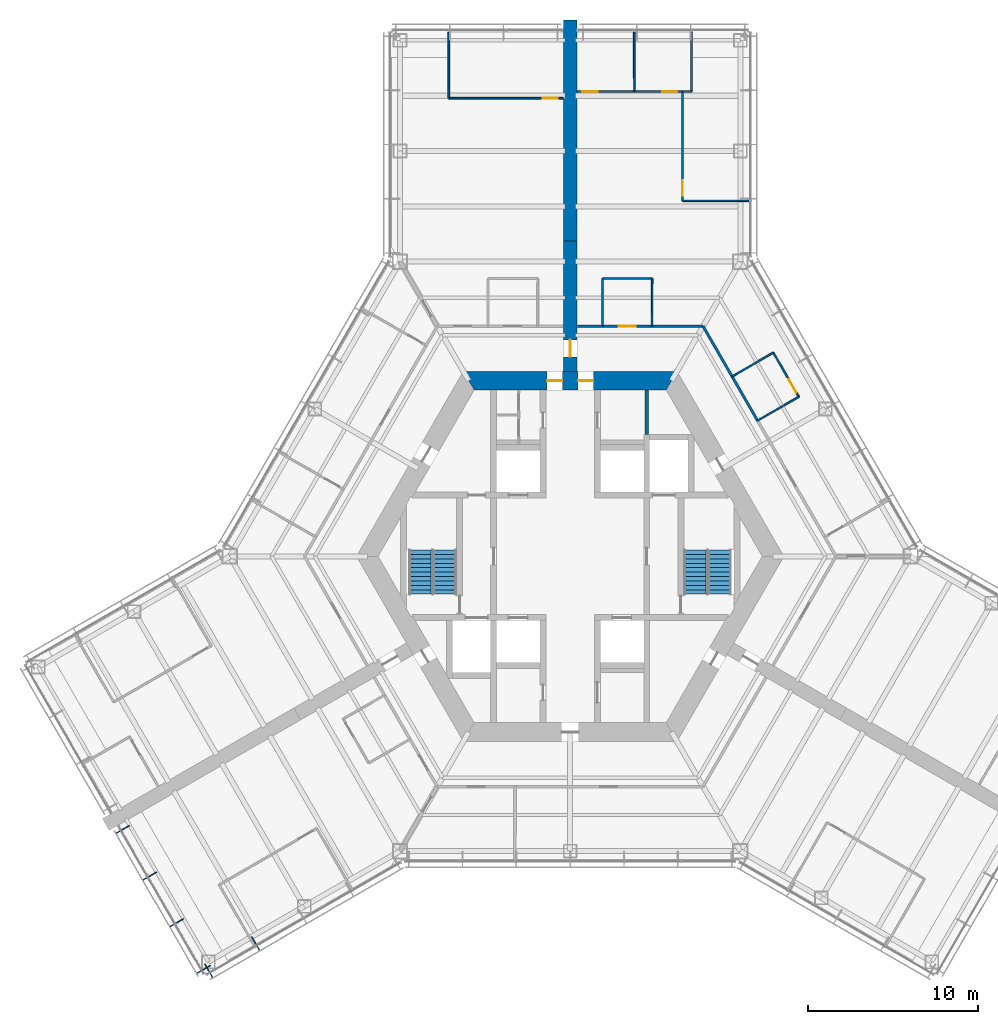
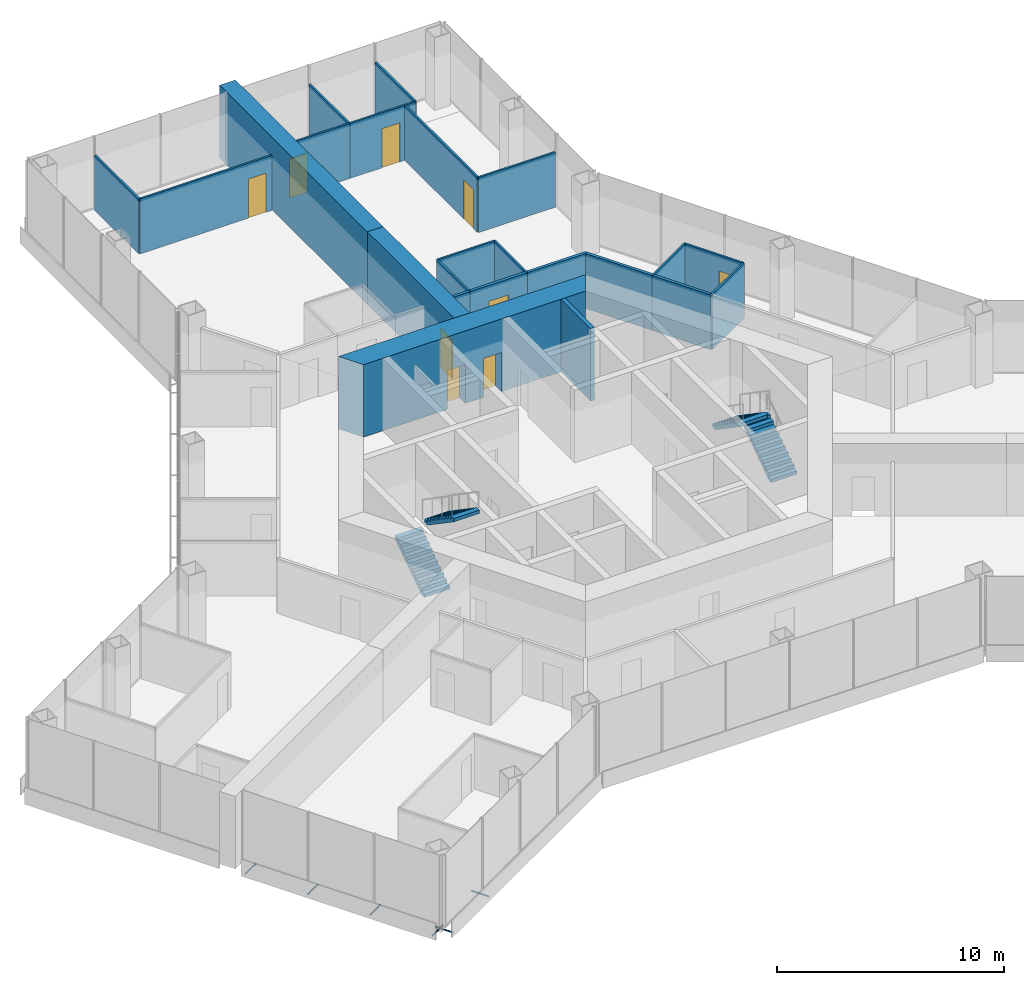
# One storey, part 15 of 18: 24 walls, 9 doors, 6 discrete accessories, 4 stair flights, 9 openings, 2 elements without a shape of their own.
"""IFC4 building model written with IfcOpenShell, lengths in metres."""

from ifc_helpers import new_model, si_unit, direction, frame, frame_2d, origin, origin_2d, place, context, subcontext, project, spatial, polyline, rectangle, hollow_circle, outline, extrude, material, layer, layer_set, material_profile, profile_set, type_object, element, fill, aggregate, save


model = new_model("IFC4")

# Units and contexts
model_context = context("Model", 3, precision=1e-05, world=origin(), true_north=direction((0.0, 1.0)))
body_context = subcontext(model_context, "Body", "Model", "MODEL_VIEW")
ifc_project = project(units=[si_unit("LENGTHUNIT", "METRE"), si_unit("AREAUNIT", "SQUARE_METRE"), si_unit("VOLUMEUNIT", "CUBIC_METRE"), si_unit("PLANEANGLEUNIT", "RADIAN"), si_unit("MASSUNIT", "GRAM", prefix="KILO")], contexts=[model_context])

# Site, building, storey
site_placement = place(None, origin())
site = spatial("IfcSite", under=ifc_project, at=site_placement, CompositionType="ELEMENT")
building_placement = place(site_placement, origin())
building = spatial("IfcBuilding", under=site, at=building_placement, Name="Kasaneha Research Tower", CompositionType="ELEMENT")
storey_placement = place(building_placement, frame((0.0, 0.0, 72.89990234375)))
storey = spatial("IfcBuildingStorey", under=building, at=storey_placement, Name="L18", CompositionType="ELEMENT", Elevation=72.89990234375)

# Wall, openings, doors
ifc_material_1 = material(Name="Concrete Fc80", Category="concrete")
ifc_layer_1 = layer(ifc_material_1, 1.10009765625)
ifc_layer_set_1 = layer_set([ifc_layer_1], Name="Core wall 1100 Fc80")
wall_type_1 = type_object("IfcWallType", Name="Core wall 1100 Fc80", PredefinedType="SHEAR", material=ifc_layer_set_1)
wall_1_placement = place(storey_placement, frame((5.961181640625, 10.324951171875, 0.0), z_axis=(0.0, 0.0, 1.0), x_axis=(-1.0, 0.0, 0.0)))
wall_1 = element("IfcWall", 1, at=wall_1_placement, inside=storey, type_object=wall_type_1, Name="Core wall 090 L18", PredefinedType="SHEAR", context=body_context, shape_type="SweptSolid", body=[
    extrude(outline(polyline([(-0.317626953125, -0.550048828125), (4.5986328125, -0.550048828125), (5.49853515625, -0.550048828125), (6.423583984375, -0.550048828125), (7.323486328125, -0.550048828125), (12.239990234375, -0.550048828125), (11.604736328125, 0.550048828125), (7.323486328125, 0.550048828125), (6.423583984375, 0.550048828125), (5.49853515625, 0.550048828125), (4.5986328125, 0.550048828125), (0.317626953125, 0.550048828125), (-0.317626953125, -0.550048828125)])), origin(), (0.0, 0.0, 1.0), 3.900146484375),
])
opening_1_placement = place(wall_1_placement, frame((6.423583984375, 0.0, 0.0)))
opening_1 = element("IfcOpeningElement", 2, at=opening_1_placement, cuts=wall_1, Name="Opening L18-D01", PredefinedType="OPENING", context=body_context, shape_type="SweptSolid", body=[
    extrude(rectangle(XDim=0.89990234375, YDim=2.10009765625, at=frame_2d((0.449951171875, 1.050048828125))), frame((0.0, 0.56005859375, 0.0), z_axis=(0.0, -1.0, 0.0), x_axis=(1.0, 0.0, 0.0)), (0.0, 0.0, 1.0), 1.1201171875),
])
opening_2_placement = place(wall_1_placement, frame((4.5986328125, 0.0, 0.0)))
opening_2 = element("IfcOpeningElement", 3, at=opening_2_placement, cuts=wall_1, Name="Opening L18-D02", PredefinedType="OPENING", context=body_context, shape_type="SweptSolid", body=[
    extrude(rectangle(XDim=0.89990234375, YDim=2.10009765625, at=frame_2d((0.449951171875, 1.050048828125))), frame((0.0, 0.56005859375, 0.0), z_axis=(0.0, -1.0, 0.0), x_axis=(1.0, 0.0, 0.0)), (0.0, 0.0, 1.0), 1.1201171875),
])
ifc_material_2 = material(Name="Steel", Category="steel")
door_type_1 = type_object("IfcDoorType", Name="Toilet door FD20 900x2100", OperationType="NOTDEFINED", PredefinedType="DOOR", material=ifc_material_2)
door_1_placement = place(opening_1_placement, origin())
door_1 = element("IfcDoor", 4, at=door_1_placement, inside=storey, type_object=door_type_1, Name="Core door north 1 L18-D01", OperationType="SINGLE_SWING_RIGHT", OverallHeight=2.10009765625, OverallWidth=0.89990234375, PredefinedType="DOOR", context=body_context, shape_type="SweptSolid", body=[
    extrude(rectangle(XDim=0.89990234375, YDim=2.10009765625, at=frame_2d((0.449951171875, 1.050048828125))), frame((0.0, 0.02490234375, 0.0), z_axis=(0.0, -1.0, 0.0), x_axis=(1.0, 0.0, 0.0)), (0.0, 0.0, 1.0), 0.050048828125),
])
fill(opening_1, door_1)
door_2_placement = place(opening_2_placement, origin())
door_2 = element("IfcDoor", 5, at=door_2_placement, inside=storey, type_object=door_type_1, Name="Core door north 2 L18-D02", OperationType="SINGLE_SWING_LEFT", OverallHeight=2.10009765625, OverallWidth=0.89990234375, PredefinedType="DOOR", context=body_context, shape_type="SweptSolid", body=[
    extrude(rectangle(XDim=0.89990234375, YDim=2.10009765625, at=frame_2d((0.449951171875, 1.050048828125))), frame((0.0, 0.02490234375, 0.0), z_axis=(0.0, -1.0, 0.0), x_axis=(1.0, 0.0, 0.0)), (0.0, 0.0, 1.0), 0.050048828125),
])
fill(opening_2, door_2)

# Walls
ifc_material_3 = material(Name="Gypsum board on steel studs, one layer each side", Category="steel")
ifc_layer_2 = layer(ifc_material_3, 0.10009765625)
ifc_layer_set_2 = layer_set([ifc_layer_2], Name="Office partition 100")
wall_type_2 = type_object("IfcWallType", Name="Office partition 100", PredefinedType="PARTITIONING", material=ifc_layer_set_2)
wall_2_placement = place(storey_placement, frame((1.89990234375, 16.324951171875, 0.0), z_axis=(0.0, 0.0, 1.0), x_axis=(1.0, 0.0, 0.0)))
element("IfcWall", 6, at=wall_2_placement, inside=storey, type_object=wall_type_2, Name="Office partition FAE08 L18", PredefinedType="PARTITIONING", context=body_context, shape_type="SweptSolid", body=[
    extrude(rectangle(XDim=2.9169921875, YDim=0.10009765625, at=frame_2d((1.45849609375, 0.0))), origin(), (0.0, 0.0, 1.0), 2.9501953125),
])
for number, where, z_axis, x_axis, name in (
    (7, (1.904541015625, 13.52490234375, 0.0), (0.0, 0.0, 1.0), (-0.001656637364, 0.999998627775, 0.0), "Office partition FAE09 L18"),
    (8, (4.81689453125, 16.324951171875, 0.0), (0.0, 0.0, 1.0), (-0.001569446145, -0.999998768419, 0.0), "Office partition FAE10 L18"),
    (9, (9.51513671875, 10.569091796875, 0.0), (0.0, 0.0, 1.0), (0.865255114713, 0.501331812737, 0.0), "Office partition FAE11 L18"),
):
    element("IfcWall", number, at=place(storey_placement, frame(where, z_axis=z_axis, x_axis=x_axis)), inside=storey, type_object=wall_type_2, Name=name, PredefinedType="PARTITIONING", context=body_context, shape_type="SweptSolid", body=[
        extrude(rectangle(XDim=2.800048828125, YDim=0.10009765625, at=frame_2d((1.39990234375, 0.0))), origin(), (0.0, 0.0, 1.0), 2.9501953125),
    ])

# Wall, opening, door
wall_3_placement = place(storey_placement, frame((11.93798828125, 11.972900390625, 0.0), z_axis=(0.0, 0.0, 1.0), x_axis=(0.50002537861, -0.866010750942, 0.0)))
wall_3 = element("IfcWall", 10, at=wall_3_placement, inside=storey, type_object=wall_type_2, Name="Office partition FAE12 L18", PredefinedType="PARTITIONING", context=body_context, shape_type="SweptSolid", body=[
    extrude(rectangle(XDim=2.999755859375, YDim=0.10009765625, at=frame_2d((1.5, 0.0))), origin(), (0.0, 0.0, 1.0), 2.9501953125),
])
opening_3_placement = place(wall_3_placement, frame((1.800048828125, 0.0, 0.0)))
opening_3 = element("IfcOpeningElement", 11, at=opening_3_placement, cuts=wall_3, Name="Opening L18-D27", PredefinedType="OPENING", context=body_context, shape_type="SweptSolid", body=[
    extrude(rectangle(XDim=0.89990234375, YDim=2.10009765625, at=frame_2d((0.449951171875, 1.050048828125))), frame((0.0, 0.06005859375, 0.0), z_axis=(0.0, -1.0, 0.0), x_axis=(1.0, 0.0, 0.0)), (0.0, 0.0, 1.0), 0.1201171875),
])
ifc_material_4 = material(Name="Timber veneer", Category="wood")
door_type_2 = type_object("IfcDoorType", Name="Office door 900x2100", OperationType="SINGLE_SWING_LEFT", PredefinedType="DOOR", material=ifc_material_4)
door_3_placement = place(opening_3_placement, origin())
door_3 = element("IfcDoor", 12, at=door_3_placement, inside=storey, type_object=door_type_2, Name="Pantry door L18-D27", OperationType="SINGLE_SWING_RIGHT", OverallHeight=2.10009765625, OverallWidth=0.89990234375, PredefinedType="DOOR", context=body_context, shape_type="SweptSolid", body=[
    extrude(rectangle(XDim=0.89990234375, YDim=2.10009765625, at=frame_2d((0.449951171875, 1.050048828125))), frame((0.0, 0.02490234375, 0.0), z_axis=(0.0, -1.0, 0.0), x_axis=(1.0, 0.0, 0.0)), (0.0, 0.0, 1.0), 0.050048828125),
])
fill(opening_3, door_3)

# Walls
wall_4_placement = place(storey_placement, frame((13.43798828125, 9.375, 0.0), z_axis=(0.0, 0.0, 1.0), x_axis=(-0.866817750494, -0.498625097071, 0.0)))
element("IfcWall", 13, at=wall_4_placement, inside=storey, type_object=wall_type_2, Name="Office partition FAE13 L18", PredefinedType="PARTITIONING", context=body_context, shape_type="SweptSolid", body=[
    extrude(rectangle(XDim=2.80029296875, YDim=0.10009765625, at=frame_2d((1.400146484375, 0.0))), origin(), (0.0, 0.0, 1.0), 2.9501953125),
])
wall_5_placement = place(storey_placement, frame((3.771728515625, 27.320556640625, 0.0), z_axis=(0.0, 0.0, 1.0), x_axis=(-0.001473269062, 0.999998914739, 0.0)))
element("IfcWall", 14, at=wall_5_placement, inside=storey, type_object=wall_type_2, Name="Office partition FAE14 L18", PredefinedType="PARTITIONING", context=body_context, shape_type="SweptSolid", body=[
    extrude(rectangle(XDim=3.47998046875, YDim=0.10009765625, at=frame_2d((1.739990234375, 0.0))), origin(), (0.0, 0.0, 1.0), 2.9501953125),
])
wall_6_placement = place(storey_placement, frame((7.13330078125, 27.320556640625, 0.0), z_axis=(0.0, 0.0, 1.0), x_axis=(-1.0, 0.0, 0.0)))
element("IfcWall", 15, at=wall_6_placement, inside=storey, type_object=wall_type_2, Name="Office partition FAE15 L18", PredefinedType="PARTITIONING", context=body_context, shape_type="SweptSolid", body=[
    extrude(rectangle(XDim=0.538330078125, YDim=0.10009765625, at=frame_2d((0.26904296875, 0.0))), origin(), (0.0, 0.0, 1.0), 2.9501953125),
])
wall_7_placement = place(storey_placement, frame((7.13330078125, 30.800537109375, 0.0), z_axis=(0.0, 0.0, 1.0), x_axis=(0.0, -1.0, 0.0)))
element("IfcWall", 16, at=wall_7_placement, inside=storey, type_object=wall_type_2, Name="Office partition FAE16 L18", PredefinedType="PARTITIONING", context=body_context, shape_type="SweptSolid", body=[
    extrude(rectangle(XDim=3.47998046875, YDim=0.10009765625, at=frame_2d((1.739990234375, 0.0))), origin(), (0.0, 0.0, 1.0), 2.9501953125),
])

# Wall, opening, door
wall_8_placement = place(storey_placement, frame((6.6044921875, 27.320556640625, 0.0), z_axis=(0.0, 0.0, 1.0), x_axis=(-0.999998801045, 0.001548518446, 0.0)))
wall_8 = element("IfcWall", 17, at=wall_8_placement, inside=storey, type_object=wall_type_2, Name="Office partition FAE17 L18", PredefinedType="PARTITIONING", context=body_context, shape_type="SweptSolid", body=[
    extrude(rectangle(XDim=2.837890625, YDim=0.10009765625, at=frame_2d((1.4189453125, 0.0))), origin(), (0.0, 0.0, 1.0), 2.9501953125),
])
opening_4_placement = place(wall_8_placement, frame((0.300048828125, 0.0, 0.0)))
opening_4 = element("IfcOpeningElement", 18, at=opening_4_placement, cuts=wall_8, Name="Opening L18-D28", PredefinedType="OPENING", context=body_context, shape_type="SweptSolid", body=[
    extrude(rectangle(XDim=0.89990234375, YDim=2.10009765625, at=frame_2d((0.449951171875, 1.050048828125))), frame((0.0, 0.06005859375, 0.0), z_axis=(0.0, -1.0, 0.0), x_axis=(1.0, 0.0, 0.0)), (0.0, 0.0, 1.0), 0.1201171875),
])
door_4_placement = place(opening_4_placement, origin())
door_4 = element("IfcDoor", 19, at=door_4_placement, inside=storey, type_object=door_type_2, Name="Manager's office door L18-D28", OperationType="SINGLE_SWING_LEFT", OverallHeight=2.10009765625, OverallWidth=0.89990234375, PredefinedType="DOOR", context=body_context, shape_type="SweptSolid", body=[
    extrude(rectangle(XDim=0.89990234375, YDim=2.10009765625, at=frame_2d((0.449951171875, 1.050048828125))), frame((0.0, 0.02490234375, 0.0), z_axis=(0.0, -1.0, 0.0), x_axis=(1.0, 0.0, 0.0)), (0.0, 0.0, 1.0), 0.050048828125),
])
fill(opening_4, door_4)

wall_9_placement = place(storey_placement, frame((3.7666015625, 27.324951171875, 0.0), z_axis=(0.0, 0.0, 1.0), x_axis=(-0.999999137883, -0.001313100706, 0.0)))
wall_9 = element("IfcWall", 20, at=wall_9_placement, inside=storey, type_object=wall_type_2, Name="Office partition FAE18 L18", PredefinedType="PARTITIONING", context=body_context, shape_type="SweptSolid", body=[
    extrude(rectangle(XDim=3.3466796875, YDim=0.10009765625, at=frame_2d((1.67333984375, 0.0))), origin(), (0.0, 0.0, 1.0), 2.9501953125),
])
opening_5_placement = place(wall_9_placement, frame((2.146728515625, 0.0, 0.0)))
opening_5 = element("IfcOpeningElement", 21, at=opening_5_placement, cuts=wall_9, Name="Opening L18-D29", PredefinedType="OPENING", context=body_context, shape_type="SweptSolid", body=[
    extrude(rectangle(XDim=0.89990234375, YDim=2.10009765625, at=frame_2d((0.449951171875, 1.050048828125))), frame((0.0, 0.06005859375, 0.0), z_axis=(0.0, -1.0, 0.0), x_axis=(1.0, 0.0, 0.0)), (0.0, 0.0, 1.0), 0.1201171875),
])
door_5_placement = place(opening_5_placement, origin())
door_5 = element("IfcDoor", 22, at=door_5_placement, inside=storey, type_object=door_type_2, Name="Manager's office door L18-D29", OperationType="SINGLE_SWING_RIGHT", OverallHeight=2.10009765625, OverallWidth=0.89990234375, PredefinedType="DOOR", context=body_context, shape_type="SweptSolid", body=[
    extrude(rectangle(XDim=0.89990234375, YDim=2.10009765625, at=frame_2d((0.449951171875, 1.050048828125))), frame((0.0, 0.02490234375, 0.0), z_axis=(0.0, -1.0, 0.0), x_axis=(1.0, 0.0, 0.0)), (0.0, 0.0, 1.0), 0.050048828125),
])
fill(opening_5, door_5)

wall_10_placement = place(storey_placement, frame((6.60009765625, 20.89111328125, 0.0), z_axis=(0.0, 0.0, 1.0), x_axis=(0.000683500885, 0.999999766413, 0.0)))
wall_10 = element("IfcWall", 23, at=wall_10_placement, inside=storey, type_object=wall_type_2, Name="Office partition FAE19 L18", PredefinedType="PARTITIONING", context=body_context, shape_type="SweptSolid", body=[
    extrude(rectangle(XDim=6.429443359375, YDim=0.10009765625, at=frame_2d((3.21484375, 0.0))), origin(), (0.0, 0.0, 1.0), 2.9501953125),
])
opening_6_placement = place(wall_10_placement, frame((0.300048828125, 0.0, 0.0)))
opening_6 = element("IfcOpeningElement", 24, at=opening_6_placement, cuts=wall_10, Name="Opening L18-D30", PredefinedType="OPENING", context=body_context, shape_type="SweptSolid", body=[
    extrude(rectangle(XDim=0.89990234375, YDim=2.10009765625, at=frame_2d((0.449951171875, 1.050048828125))), frame((0.0, 0.06005859375, 0.0), z_axis=(0.0, -1.0, 0.0), x_axis=(1.0, 0.0, 0.0)), (0.0, 0.0, 1.0), 0.1201171875),
])
door_6_placement = place(opening_6_placement, origin())
door_6 = element("IfcDoor", 25, at=door_6_placement, inside=storey, type_object=door_type_2, Name="Meeting room door L18-D30", OperationType="SINGLE_SWING_LEFT", OverallHeight=2.10009765625, OverallWidth=0.89990234375, PredefinedType="DOOR", context=body_context, shape_type="SweptSolid", body=[
    extrude(rectangle(XDim=0.89990234375, YDim=2.10009765625, at=frame_2d((0.449951171875, 1.050048828125))), frame((0.0, 0.02490234375, 0.0), z_axis=(0.0, -1.0, 0.0), x_axis=(1.0, 0.0, 0.0)), (0.0, 0.0, 1.0), 0.050048828125),
])
fill(opening_6, door_6)

# Walls
wall_11_placement = place(storey_placement, frame((10.5, 20.89111328125, 0.0), z_axis=(0.0, 0.0, 1.0), x_axis=(-1.0, 0.0, 0.0)))
element("IfcWall", 26, at=wall_11_placement, inside=storey, type_object=wall_type_2, Name="Office partition FAE20 L18", PredefinedType="PARTITIONING", context=body_context, shape_type="SweptSolid", body=[
    extrude(rectangle(XDim=3.89990234375, YDim=0.10009765625, at=frame_2d((1.949951171875, 0.0))), origin(), (0.0, 0.0, 1.0), 2.9501953125),
])
wall_12_placement = place(storey_placement, frame((-7.13330078125, 26.92041015625, 0.0), z_axis=(0.0, 0.0, 1.0), x_axis=(0.0, 1.0, 0.0)))
element("IfcWall", 27, at=wall_12_placement, inside=storey, type_object=wall_type_2, Name="Office partition FAW07 L18", PredefinedType="PARTITIONING", context=body_context, shape_type="SweptSolid", body=[
    extrude(rectangle(XDim=3.880126953125, YDim=0.10009765625, at=frame_2d((1.93994140625, 0.0))), origin(), (0.0, 0.0, 1.0), 2.9501953125),
])

# Wall, opening, door
wall_13_placement = place(storey_placement, frame((-0.419921875, 26.92041015625, 0.0), z_axis=(0.0, 0.0, 1.0), x_axis=(-1.0, 0.0, 0.0)))
wall_13 = element("IfcWall", 28, at=wall_13_placement, inside=storey, type_object=wall_type_2, Name="Office partition FAW08 L18", PredefinedType="PARTITIONING", context=body_context, shape_type="SweptSolid", body=[
    extrude(rectangle(XDim=6.71337890625, YDim=0.10009765625, at=frame_2d((3.356689453125, 0.0))), origin(), (0.0, 0.0, 1.0), 2.9501953125),
])
opening_7_placement = place(wall_13_placement, frame((0.300048828125, 0.0, 0.0)))
opening_7 = element("IfcOpeningElement", 29, at=opening_7_placement, cuts=wall_13, Name="Opening L18-D34", PredefinedType="OPENING", context=body_context, shape_type="SweptSolid", body=[
    extrude(rectangle(XDim=0.89990234375, YDim=2.10009765625, at=frame_2d((0.449951171875, 1.050048828125))), frame((0.0, 0.06005859375, 0.0), z_axis=(0.0, -1.0, 0.0), x_axis=(1.0, 0.0, 0.0)), (0.0, 0.0, 1.0), 0.1201171875),
])
door_7_placement = place(opening_7_placement, origin())
door_7 = element("IfcDoor", 30, at=door_7_placement, inside=storey, type_object=door_type_2, Name="Meeting room door L18-D34", OperationType="SINGLE_SWING_LEFT", OverallHeight=2.10009765625, OverallWidth=0.89990234375, PredefinedType="DOOR", context=body_context, shape_type="SweptSolid", body=[
    extrude(rectangle(XDim=0.89990234375, YDim=2.10009765625, at=frame_2d((0.449951171875, 1.050048828125))), frame((0.0, 0.02490234375, 0.0), z_axis=(0.0, -1.0, 0.0), x_axis=(1.0, 0.0, 0.0)), (0.0, 0.0, 1.0), 0.050048828125),
])
fill(opening_7, door_7)

# Wall
ifc_material_5 = material(Name="Concrete block", Category="concrete")
ifc_layer_3 = layer(ifc_material_5, 0.199951171875)
ifc_layer_set_3 = layer_set([ifc_layer_3], Name="Riser enclosure wall 200")
wall_type_3 = type_object("IfcWallType", Name="Riser enclosure wall 200", PredefinedType="STANDARD", material=ifc_layer_set_3)
wall_14_placement = place(storey_placement, frame((4.5, 7.175048828125, 0.0), z_axis=(0.0, 0.0, 1.0), x_axis=(0.0, 1.0, 0.0)))
element("IfcWall", 31, at=wall_14_placement, inside=storey, type_object=wall_type_3, Name="Riser enclosure wall L18", PredefinedType="STANDARD", context=body_context, shape_type="SweptSolid", body=[
    extrude(rectangle(XDim=2.599853515625, YDim=0.199951171875, at=frame_2d((1.2998046875, 0.0))), origin(), (0.0, 0.0, 1.0), 3.900146484375),
])

# Wall, opening, door
ifc_material_6 = material(Name="Concrete Fc80", Category="concrete")
ifc_layer_4 = layer(ifc_material_6, 0.800048828125)
ifc_layer_set_4 = layer_set([ifc_layer_4], Name="Spine wall 800 Fc80")
wall_type_4 = type_object("IfcWallType", Name="Spine wall 800 Fc80", PredefinedType="SHEAR", material=ifc_layer_set_4)
wall_15_placement = place(storey_placement, frame((0.0, 10.875, 0.0), z_axis=(0.0, 0.0, 1.0), x_axis=(0.0, 1.0, 0.0)))
wall_15 = element("IfcWall", 32, at=wall_15_placement, inside=storey, type_object=wall_type_4, Name="Spine wall A L18", PredefinedType="SHEAR", context=body_context, shape_type="SweptSolid", body=[
    extrude(rectangle(XDim=7.6455078125, YDim=0.800048828125, at=frame_2d((3.82275390625, 0.0))), origin(), (0.0, 0.0, 1.0), 3.900146484375),
])
opening_8_placement = place(wall_15_placement, frame((0.85009765625, 0.0, 0.0)))
opening_8 = element("IfcOpeningElement", 33, at=opening_8_placement, cuts=wall_15, Name="Opening L18-D17", PredefinedType="OPENING", context=body_context, shape_type="SweptSolid", body=[
    extrude(rectangle(XDim=1.0, YDim=2.10009765625, at=frame_2d((0.5, 1.050048828125))), frame((0.0, 0.41015625, 0.0), z_axis=(0.0, -1.0, 0.0), x_axis=(1.0, 0.0, 0.0)), (0.0, 0.0, 1.0), 0.820068359375),
])
ifc_material_7 = material(Name="Steel", Category="steel")
door_type_3 = type_object("IfcDoorType", Name="Specified fire door FD60 1000x2100", OperationType="NOTDEFINED", PredefinedType="DOOR", material=ifc_material_7)
door_8_placement = place(opening_8_placement, origin())
door_8 = element("IfcDoor", 34, at=door_8_placement, inside=storey, type_object=door_type_3, Name="Spine doorway A L18-D17", OperationType="SINGLE_SWING_LEFT", OverallHeight=2.10009765625, OverallWidth=1.0, PredefinedType="DOOR", context=body_context, shape_type="SweptSolid", body=[
    extrude(rectangle(XDim=1.0, YDim=2.10009765625, at=frame_2d((0.5, 1.050048828125))), frame((0.0, 0.02490234375, 0.0), z_axis=(0.0, -1.0, 0.0), x_axis=(1.0, 0.0, 0.0)), (0.0, 0.0, 1.0), 0.050048828125),
])
fill(opening_8, door_8)

# Wall
wall_16_placement = place(storey_placement, frame((0.0, 18.5205078125, 0.0), z_axis=(0.0, 0.0, 1.0), x_axis=(0.0, 1.0, 0.0)))
element("IfcWall", 35, at=wall_16_placement, inside=storey, type_object=wall_type_4, Name="Spine wall A wing L18", PredefinedType="SHEAR", context=body_context, shape_type="SweptSolid", body=[
    extrude(rectangle(XDim=13.0, YDim=0.800048828125, at=frame_2d((6.5, 0.0))), origin(), (0.0, 0.0, 1.0), 3.900146484375),
])

# Wall, opening, door
ifc_material_8 = material(Name="Gypsum board on steel studs, two layers each side", Category="steel")
ifc_layer_5 = layer(ifc_material_8, 0.14990234375)
ifc_layer_set_5 = layer_set([ifc_layer_5], Name="Suite partition 150")
wall_type_5 = type_object("IfcWallType", Name="Suite partition 150", PredefinedType="PARTITIONING", material=ifc_layer_set_5)
wall_17_placement = place(storey_placement, frame((1.89501953125, 13.52490234375, 0.0), z_axis=(0.0, 0.0, 1.0), x_axis=(1.0, 0.0, 0.0)))
wall_17 = element("IfcWall", 36, at=wall_17_placement, inside=storey, type_object=wall_type_5, Name="Suite partition FAE01 L18", PredefinedType="PARTITIONING", context=body_context, shape_type="SweptSolid", body=[
    extrude(rectangle(XDim=2.927001953125, YDim=0.14990234375, at=frame_2d((1.46337890625, 0.0))), origin(), (0.0, 0.0, 1.0), 2.9501953125),
])
opening_9_placement = place(wall_17_placement, frame((0.96337890625, 0.0, 0.0)))
opening_9 = element("IfcOpeningElement", 37, at=opening_9_placement, cuts=wall_17, Name="Opening L18-D25", PredefinedType="OPENING", context=body_context, shape_type="SweptSolid", body=[
    extrude(rectangle(XDim=1.0, YDim=2.10009765625, at=frame_2d((0.5, 1.050048828125))), frame((0.0, 0.0849609375, 0.0), z_axis=(0.0, -1.0, 0.0), x_axis=(1.0, 0.0, 0.0)), (0.0, 0.0, 1.0), 0.169921875),
])
ifc_material_9 = material(Name="Steel", Category="steel")
door_type_4 = type_object("IfcDoorType", Name="Suite entrance door FD60 1000x2100", OperationType="NOTDEFINED", PredefinedType="DOOR", material=ifc_material_9)
door_9_placement = place(opening_9_placement, origin())
door_9 = element("IfcDoor", 38, at=door_9_placement, inside=storey, type_object=door_type_4, Name="Suite entrance door L18-D25", OperationType="SINGLE_SWING_LEFT", OverallHeight=2.10009765625, OverallWidth=1.0, PredefinedType="DOOR", context=body_context, shape_type="SweptSolid", body=[
    extrude(rectangle(XDim=1.0, YDim=2.10009765625, at=frame_2d((0.5, 1.050048828125))), frame((0.0, 0.02490234375, 0.0), z_axis=(0.0, -1.0, 0.0), x_axis=(1.0, 0.0, 0.0)), (0.0, 0.0, 1.0), 0.050048828125),
])
fill(opening_9, door_9)

# Walls
wall_18_placement = place(storey_placement, frame((9.510498046875, 10.577392578125, 0.0), z_axis=(0.0, 0.0, 1.0), x_axis=(0.499977562641, -0.866038357612, 0.0)))
element("IfcWall", 39, at=wall_18_placement, inside=storey, type_object=wall_type_5, Name="Suite partition FAE02 L18", PredefinedType="PARTITIONING", context=body_context, shape_type="SweptSolid", body=[
    extrude(rectangle(XDim=3.010009765625, YDim=0.14990234375, at=frame_2d((1.5048828125, 0.0))), origin(), (0.0, 0.0, 1.0), 2.9501953125),
])
wall_19_placement = place(storey_placement, frame((0.419921875, 13.52490234375, 0.0), z_axis=(0.0, 0.0, 1.0), x_axis=(1.0, 0.0, 0.0)))
element("IfcWall", 40, at=wall_19_placement, inside=storey, type_object=wall_type_5, Name="Suite partition FAE04 L18", PredefinedType="PARTITIONING", context=body_context, shape_type="SweptSolid", body=[
    extrude(rectangle(XDim=1.484619140625, YDim=0.14990234375, at=frame_2d((0.7421875, 0.0))), origin(), (0.0, 0.0, 1.0), 2.9501953125),
])
wall_20_placement = place(storey_placement, frame((4.8125, 13.52490234375, 0.0), z_axis=(0.0, 0.0, 1.0), x_axis=(1.0, 0.0, 0.0)))
element("IfcWall", 41, at=wall_20_placement, inside=storey, type_object=wall_type_5, Name="Suite partition FAE05 L18", PredefinedType="PARTITIONING", context=body_context, shape_type="SweptSolid", body=[
    extrude(rectangle(XDim=2.99609375, YDim=0.14990234375, at=frame_2d((1.498046875, 0.0))), origin(), (0.0, 0.0, 1.0), 2.9501953125),
])
wall_21_placement = place(storey_placement, frame((7.80859375, 13.52490234375, 0.0), z_axis=(0.0, 0.0, 1.0), x_axis=(0.500001088571, -0.866024775297, 0.0)))
element("IfcWall", 42, at=wall_21_placement, inside=storey, type_object=wall_type_5, Name="Suite partition FAE06 L18", PredefinedType="PARTITIONING", context=body_context, shape_type="SweptSolid", body=[
    extrude(rectangle(XDim=3.4130859375, YDim=0.14990234375, at=frame_2d((1.70654296875, 0.0))), origin(), (0.0, 0.0, 1.0), 2.9501953125),
])

# Stair, stair flights
ifc_material_10 = material(Name="Concrete Fc24", Category="concrete")
stair_type = type_object("IfcStairType", Name="Half-turn stair 22 risers", PredefinedType="HALF_TURN_STAIR", material=ifc_material_10)
stair_1_placement = place(storey_placement, origin())
stair_1 = element("IfcStair", 43, at=stair_1_placement, inside=storey, type_object=stair_type, Name="Stair 1 L18", PredefinedType="HALF_TURN_STAIR")
ifc_material_11 = material(Name="Concrete Fc24", Category="concrete")
stair_flight_type = type_object("IfcStairFlightType", Name="Stair flight 11 risers 177.3", PredefinedType="STRAIGHT", material=ifc_material_11)
stair_flight_1_placement = place(storey_placement, frame((8.824951171875, -2.22509765625, 0.0), z_axis=(0.0, 0.0, 1.0), x_axis=(0.0, 1.0, 0.0)))
stair_flight_1 = element("IfcStairFlight", 44, at=stair_flight_1_placement, type_object=stair_flight_type, Name="ST1-22R flight 1", NumberOfRisers=11, NumberOfTreads=10, PredefinedType="STRAIGHT", RiserHeight=0.177272727, TreadLength=0.26, context=body_context, shape_type="SweptSolid", body=[
    extrude(outline(polyline([(0.0, 0.0), (0.0, 0.17724609375), (0.260009765625, 0.17724609375), (0.260009765625, 0.3544921875), (0.52001953125, 0.3544921875), (0.52001953125, 0.53173828125), (0.780029296875, 0.53173828125), (0.780029296875, 0.708984375), (1.0400390625, 0.708984375), (1.0400390625, 0.886474609375), (1.300048828125, 0.886474609375), (1.300048828125, 1.063720703125), (1.56005859375, 1.063720703125), (1.56005859375, 1.240966796875), (1.820068359375, 1.240966796875), (1.820068359375, 1.418212890625), (2.080078125, 1.418212890625), (2.080078125, 1.595458984375), (2.340087890625, 1.595458984375), (2.340087890625, 1.772705078125), (2.60009765625, 1.772705078125), (2.60009765625, 1.949951171875), (2.60009765625, 1.59130859375), (0.26611328125, 0.0), (0.0, 0.0)])), frame((0.0, 0.64990234375, 0.0), z_axis=(0.0, -1.0, 0.0), x_axis=(1.0, 0.0, 0.0)), (0.0, 0.0, 1.0), 1.300048828125),
])
stair_flight_2_placement = place(storey_placement, frame((7.324951171875, 0.375, 1.9501953125), z_axis=(0.0, 0.0, 1.0), x_axis=(0.0, -1.0, 0.0)))
stair_flight_2 = element("IfcStairFlight", 45, at=stair_flight_2_placement, type_object=stair_flight_type, Name="ST1-22R flight 2", NumberOfRisers=11, NumberOfTreads=10, PredefinedType="STRAIGHT", RiserHeight=0.177272727, TreadLength=0.26, context=body_context, shape_type="SweptSolid", body=[
    extrude(outline(polyline([(0.0, 0.0), (0.0, 0.17724609375), (0.260009765625, 0.17724609375), (0.260009765625, 0.3544921875), (0.52001953125, 0.3544921875), (0.52001953125, 0.53173828125), (0.780029296875, 0.53173828125), (0.780029296875, 0.708984375), (1.0400390625, 0.708984375), (1.0400390625, 0.886474609375), (1.300048828125, 0.886474609375), (1.300048828125, 1.063720703125), (1.56005859375, 1.063720703125), (1.56005859375, 1.240966796875), (1.820068359375, 1.240966796875), (1.820068359375, 1.418212890625), (2.080078125, 1.418212890625), (2.080078125, 1.595458984375), (2.340087890625, 1.595458984375), (2.340087890625, 1.772705078125), (2.60009765625, 1.772705078125), (2.60009765625, 1.949951171875), (2.60009765625, 1.59130859375), (0.26611328125, 0.0), (0.0, 0.0)])), frame((0.0, 0.64990234375, 0.0), z_axis=(0.0, -1.0, 0.0), x_axis=(1.0, 0.0, 0.0)), (0.0, 0.0, 1.0), 1.300048828125),
])
aggregate(stair_1, [stair_flight_1, stair_flight_2])

stair_2_placement = place(storey_placement, origin())
stair_2 = element("IfcStair", 46, at=stair_2_placement, inside=storey, type_object=stair_type, Name="Stair 2 L18", PredefinedType="HALF_TURN_STAIR")
stair_flight_3_placement = place(storey_placement, frame((-8.824951171875, -2.22509765625, 0.0), z_axis=(0.0, 0.0, 1.0), x_axis=(0.0, 1.0, 0.0)))
stair_flight_3 = element("IfcStairFlight", 47, at=stair_flight_3_placement, type_object=stair_flight_type, Name="ST2-22R flight 1", NumberOfRisers=11, NumberOfTreads=10, PredefinedType="STRAIGHT", RiserHeight=0.177272727, TreadLength=0.26, context=body_context, shape_type="SweptSolid", body=[
    extrude(outline(polyline([(0.0, 0.0), (0.0, 0.17724609375), (0.260009765625, 0.17724609375), (0.260009765625, 0.3544921875), (0.52001953125, 0.3544921875), (0.52001953125, 0.53173828125), (0.780029296875, 0.53173828125), (0.780029296875, 0.708984375), (1.0400390625, 0.708984375), (1.0400390625, 0.886474609375), (1.300048828125, 0.886474609375), (1.300048828125, 1.063720703125), (1.56005859375, 1.063720703125), (1.56005859375, 1.240966796875), (1.820068359375, 1.240966796875), (1.820068359375, 1.418212890625), (2.080078125, 1.418212890625), (2.080078125, 1.595458984375), (2.340087890625, 1.595458984375), (2.340087890625, 1.772705078125), (2.60009765625, 1.772705078125), (2.60009765625, 1.949951171875), (2.60009765625, 1.59130859375), (0.26611328125, 0.0), (0.0, 0.0)])), frame((0.0, 0.64990234375, 0.0), z_axis=(0.0, -1.0, 0.0), x_axis=(1.0, 0.0, 0.0)), (0.0, 0.0, 1.0), 1.300048828125),
])
stair_flight_4_placement = place(storey_placement, frame((-7.324951171875, 0.375, 1.9501953125), z_axis=(0.0, 0.0, 1.0), x_axis=(0.0, -1.0, 0.0)))
stair_flight_4 = element("IfcStairFlight", 48, at=stair_flight_4_placement, type_object=stair_flight_type, Name="ST2-22R flight 2", NumberOfRisers=11, NumberOfTreads=10, PredefinedType="STRAIGHT", RiserHeight=0.177272727, TreadLength=0.26, context=body_context, shape_type="SweptSolid", body=[
    extrude(outline(polyline([(0.0, 0.0), (0.0, 0.17724609375), (0.260009765625, 0.17724609375), (0.260009765625, 0.3544921875), (0.52001953125, 0.3544921875), (0.52001953125, 0.53173828125), (0.780029296875, 0.53173828125), (0.780029296875, 0.708984375), (1.0400390625, 0.708984375), (1.0400390625, 0.886474609375), (1.300048828125, 0.886474609375), (1.300048828125, 1.063720703125), (1.56005859375, 1.063720703125), (1.56005859375, 1.240966796875), (1.820068359375, 1.240966796875), (1.820068359375, 1.418212890625), (2.080078125, 1.418212890625), (2.080078125, 1.595458984375), (2.340087890625, 1.595458984375), (2.340087890625, 1.772705078125), (2.60009765625, 1.772705078125), (2.60009765625, 1.949951171875), (2.60009765625, 1.59130859375), (0.26611328125, 0.0), (0.0, 0.0)])), frame((0.0, 0.64990234375, 0.0), z_axis=(0.0, -1.0, 0.0), x_axis=(1.0, 0.0, 0.0)), (0.0, 0.0, 1.0), 1.300048828125),
])
aggregate(stair_2, [stair_flight_3, stair_flight_4])

# Discrete accessories
ifc_material_12 = material(Name="Steel STK400", Category="steel")
ifc_material_profile = material_profile(ifc_material_12, hollow_circle(Radius=0.0380859375, WallThickness=0.00390625, at=origin_2d()), Name="CHS-76.3x4.0")
ifc_profile_set = profile_set([ifc_material_profile], Name="Steel STK400")
discrete_accessory_type = type_object("IfcDiscreteAccessoryType", Name="Screen bracket CHS-76.3x4.0", PredefinedType="BRACKET", material=ifc_profile_set)
discrete_accessory_1_placement = place(storey_placement, frame((-21.474853515625, -23.945556640625, -0.2998046875), z_axis=(0.500021113727, -0.866013213425, 0.0), x_axis=(0.866013213425, 0.500021113727, 0.0)))
element("IfcDiscreteAccessory", 49, at=discrete_accessory_1_placement, inside=storey, type_object=discrete_accessory_type, Name="Screen bracket 1", PredefinedType="BRACKET", context=body_context, shape_type="SweptSolid", body=[
    extrude(hollow_circle(Radius=0.0380859375, WallThickness=0.00390625, at=origin_2d()), origin(), (0.0, 0.0, 1.0), 0.919921875),
])
for number, where, z_axis, x_axis, name in (
    (50, (-18.716796875, -22.35302734375, -0.2998046875), (0.500105201737, -0.865964657013, 0.0), (0.865964657013, 0.500105201737, 0.0), "Screen bracket 2"),
    (51, (-25.88330078125, -15.809814453125, -0.2998046875), (-0.866079547155, -0.499906209203, 0.0), (0.499906209203, -0.866079547155, 0.0), "Screen bracket 1"),
):
    element("IfcDiscreteAccessory", number, at=place(storey_placement, frame(where, z_axis=z_axis, x_axis=x_axis)), inside=storey, type_object=discrete_accessory_type, Name=name, PredefinedType="BRACKET", context=body_context, shape_type="SweptSolid", body=[
        extrude(hollow_circle(Radius=0.0380859375, WallThickness=0.00390625, at=origin_2d()), origin(), (0.0, 0.0, 1.0), 0.920166015625),
    ])
discrete_accessory_2_placement = place(storey_placement, frame((-24.300048828125, -18.55224609375, -0.2998046875), z_axis=(-0.866013213425, -0.500021113727, 0.0), x_axis=(0.500021113727, -0.866013213425, 0.0)))
element("IfcDiscreteAccessory", 52, at=discrete_accessory_2_placement, inside=storey, type_object=discrete_accessory_type, Name="Screen bracket 2", PredefinedType="BRACKET", context=body_context, shape_type="SweptSolid", body=[
    extrude(hollow_circle(Radius=0.0380859375, WallThickness=0.00390625, at=origin_2d()), origin(), (0.0, 0.0, 1.0), 0.919921875),
])
for number, where, z_axis, x_axis, name in (
    (53, (-22.716552734375, -21.294677734375, -0.2998046875), (-0.866079547155, -0.499906209203, 0.0), (0.499906209203, -0.866079547155, 0.0), "Screen bracket 3"),
    (54, (-21.13330078125, -24.037109375, -0.2998046875), (-0.866079547155, -0.499906209203, 0.0), (0.499906209203, -0.866079547155, 0.0), "Screen bracket 4"),
):
    element("IfcDiscreteAccessory", number, at=place(storey_placement, frame(where, z_axis=z_axis, x_axis=x_axis)), inside=storey, type_object=discrete_accessory_type, Name=name, PredefinedType="BRACKET", context=body_context, shape_type="SweptSolid", body=[
        extrude(hollow_circle(Radius=0.0380859375, WallThickness=0.00390625, at=origin_2d()), origin(), (0.0, 0.0, 1.0), 0.920166015625),
    ])

save(model, "model.ifc")
